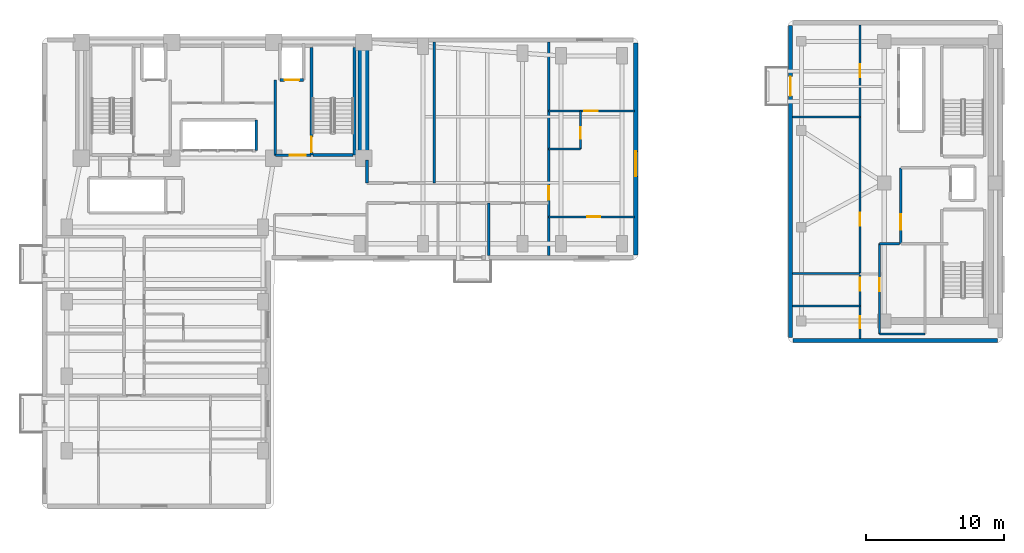
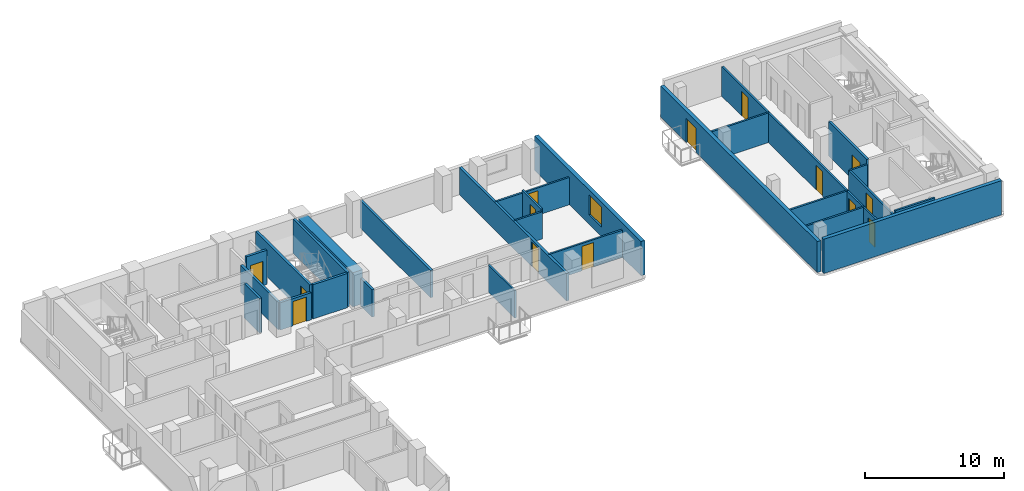
# One storey, part 5 of 9: 27 walls, 14 doors, 1 window, 15 openings.
"""IFC4 building model written with IfcOpenShell, lengths in metres."""

from ifc_helpers import new_model, si_unit, direction, frame, frame_2d, origin, place, context, subcontext, project, spatial, rectangle, extrude, material, layer, layer_set, type_object, element, fill, save


model = new_model("IFC4")

# Units and contexts
model_context = context("Model", 3, precision=1e-05, world=origin(), true_north=direction((0.0, 1.0)))
body_context = subcontext(model_context, "Body", "Model", "MODEL_VIEW")
ifc_project = project(units=[si_unit("LENGTHUNIT", "METRE"), si_unit("AREAUNIT", "SQUARE_METRE"), si_unit("VOLUMEUNIT", "CUBIC_METRE"), si_unit("PLANEANGLEUNIT", "RADIAN"), si_unit("MASSUNIT", "GRAM", prefix="KILO")], contexts=[model_context])

# Site, building, storey
site_placement = place(None, origin())
site = spatial("IfcSite", under=ifc_project, at=site_placement, CompositionType="ELEMENT")
building_placement = place(site_placement, origin())
building = spatial("IfcBuilding", under=site, at=building_placement, Name="Kuzgunbayir Cultural Tower", CompositionType="ELEMENT")
storey_placement = place(building_placement, frame((0.0, 0.0, 89.800048828125)))
storey = spatial("IfcBuildingStorey", under=building, at=storey_placement, Name="L25", CompositionType="ELEMENT", Elevation=89.800048828125)

# Wall
ifc_material_1 = material(Name="Concrete C60/75", Category="concrete")
ifc_layer_1 = layer(ifc_material_1, 0.800048828125)
ifc_layer_set_1 = layer_set([ifc_layer_1], Name="Concrete C60/75")
wall_type_1 = type_object("IfcWallType", Name="WAL-CORE-800", PredefinedType="SHEAR", material=ifc_layer_set_1)
wall_1_placement = place(storey_placement, frame((26.89990234375, 33.800048828125, 0.0), z_axis=(0.0, 0.0, 1.0), x_axis=(0.0, 1.0, 0.0)))
element("IfcWall", 1, at=wall_1_placement, inside=storey, type_object=wall_type_1, Name="L25 T1 Core East Shear Wall", PredefinedType="SHEAR", context=body_context, shape_type="SweptSolid", body=[
    extrude(rectangle(XDim=7.949951171875, YDim=0.800048828125, at=frame_2d((3.97509765625, 0.0))), origin(), (0.0, 0.0, 1.0), 3.02001953125),
])

# Wall, opening, door
ifc_material_2 = material(Name="Anatolian Cream Limestone", Category="masonry")
ifc_layer_2 = layer(ifc_material_2, 0.300048828125)
ifc_layer_set_2 = layer_set([ifc_layer_2], Name="Anatolian Cream Limestone")
wall_type_2 = type_object("IfcWallType", Name="WAL-EXT-STONE-300", PredefinedType="STANDARD", material=ifc_layer_set_2)
wall_2_placement = place(storey_placement, frame((57.800048828125, 43.39990234375, 0.0), z_axis=(0.0, 0.0, 1.0), x_axis=(0.0, -1.0, 0.0)))
wall_2 = element("IfcWall", 2, at=wall_2_placement, inside=storey, type_object=wall_type_2, Name="L25 Companion West Limestone Wall", PredefinedType="STANDARD", context=body_context, shape_type="SweptSolid", body=[
    extrude(rectangle(XDim=22.599853515625, YDim=0.300048828125, at=frame_2d((11.2998046875, 0.0))), origin(), (0.0, 0.0, 1.0), 2.72998046875),
])
opening_1_placement = place(wall_2_placement, frame((3.699951171875, 0.0, 0.0)))
opening_1 = element("IfcOpeningElement", 3, at=opening_1_placement, cuts=wall_2, Name="Opening BD-15", PredefinedType="OPENING", context=body_context, shape_type="SweptSolid", body=[
    extrude(rectangle(XDim=1.39990234375, YDim=2.10009765625, at=frame_2d((0.699951171875, 1.050048828125))), frame((0.0, 0.16015625, 0.0), z_axis=(0.0, -1.0, 0.0), x_axis=(1.0, 0.0, 0.0)), (0.0, 0.0, 1.0), 0.320068359375),
])
ifc_material_3 = material(Name="Thermally Broken Glazed Aluminium", Category="aluminium")
door_type_1 = type_object("IfcDoorType", Name="DR-BALCONY-150", OperationType="SLIDING_TO_RIGHT", PredefinedType="DOOR", material=ifc_material_3)
door_1_placement = place(opening_1_placement, origin())
door_1 = element("IfcDoor", 4, at=door_1_placement, inside=storey, type_object=door_type_1, Name="L25 Companion Balcony Door BAL-L25-T2W3", OperationType="SLIDING_TO_RIGHT", OverallHeight=2.10009765625, OverallWidth=1.39990234375, PredefinedType="DOOR", context=body_context, shape_type="SweptSolid", body=[
    extrude(rectangle(XDim=1.39990234375, YDim=2.10009765625, at=frame_2d((0.699951171875, 1.050048828125))), frame((0.0, 0.02490234375, 0.0), z_axis=(0.0, -1.0, 0.0), x_axis=(1.0, 0.0, 0.0)), (0.0, 0.0, 1.0), 0.050048828125),
])
fill(opening_1, door_1)

# Wall
wall_3_placement = place(storey_placement, frame((58.0, 20.60009765625, 0.0), z_axis=(0.0, 0.0, 1.0), x_axis=(1.0, 0.0, 0.0)))
element("IfcWall", 5, at=wall_3_placement, inside=storey, type_object=wall_type_2, Name="L25 Companion South Limestone Wall", PredefinedType="STANDARD", context=body_context, shape_type="SweptSolid", body=[
    extrude(rectangle(XDim=14.800048828125, YDim=0.300048828125, at=frame_2d((7.39990234375, 0.0))), origin(), (0.0, 0.0, 1.0), 3.02001953125),
])

# Wall, opening, window
ifc_material_4 = material(Name="Travertine Buff Ashlar", Category="masonry")
ifc_layer_3 = layer(ifc_material_4, 0.320068359375)
ifc_layer_set_3 = layer_set([ifc_layer_3], Name="Travertine Buff Ashlar")
wall_type_3 = type_object("IfcWallType", Name="WAL-EXT-STONE-320", PredefinedType="STANDARD", material=ifc_layer_set_3)
wall_4_placement = place(storey_placement, frame((46.60009765625, 26.800048828125, 0.0), z_axis=(0.0, 0.0, 1.0), x_axis=(0.0, 1.0, 0.0)))
wall_4 = element("IfcWall", 6, at=wall_4_placement, inside=storey, type_object=wall_type_3, Name="L25 Wing B East Limestone Wall", PredefinedType="STANDARD", context=body_context, shape_type="SweptSolid", body=[
    extrude(rectangle(XDim=15.349853515625, YDim=0.320068359375, at=frame_2d((7.6748046875, 0.0))), origin(), (0.0, 0.0, 1.0), 3.02001953125),
])
opening_2_placement = place(wall_4_placement, frame((5.679931640625, 0.0, 0.85009765625)))
opening_2 = element("IfcOpeningElement", 7, at=opening_2_placement, cuts=wall_4, Name="Opening WH-18", PredefinedType="OPENING", context=body_context, shape_type="SweptSolid", body=[
    extrude(rectangle(XDim=1.800048828125, YDim=1.75, at=frame_2d((0.89990234375, 0.875))), frame((0.0, 0.169921875, 0.0), z_axis=(0.0, -1.0, 0.0), x_axis=(1.0, 0.0, 0.0)), (0.0, 0.0, 1.0), 0.340087890625),
])
ifc_material_5 = material(Name="Solar-Control Triple Glazing", Category="glass")
window_type = type_object("IfcWindowType", Name="WIN-HOTEL-18", PartitioningType="SINGLE_PANEL", PredefinedType="WINDOW", material=ifc_material_5)
window_placement = place(opening_2_placement, origin())
window = element("IfcWindow", 8, at=window_placement, inside=storey, type_object=window_type, Name="L25 WBE Facade Window 3", OverallHeight=1.75, OverallWidth=1.800048828125, PartitioningType="SINGLE_PANEL", PredefinedType="WINDOW", context=body_context, shape_type="SweptSolid", body=[
    extrude(rectangle(XDim=1.800048828125, YDim=1.75, at=frame_2d((0.89990234375, 0.875))), frame((0.0, 0.030029296875, 0.0), z_axis=(0.0, -1.0, 0.0), x_axis=(1.0, 0.0, 0.0)), (0.0, 0.0, 1.0), 0.06005859375),
])
fill(opening_2, window)

# Wall, opening, door
ifc_material_6 = material(Name="Acoustic Double-Stud Drywall", Category="gypsum")
ifc_layer_4 = layer(ifc_material_6, 0.14990234375)
ifc_layer_set_4 = layer_set([ifc_layer_4], Name="Acoustic Double-Stud Drywall")
wall_type_4 = type_object("IfcWallType", Name="WAL-PART-ACOUSTIC-150", PredefinedType="PARTITIONING", material=ifc_layer_set_4)
wall_5_placement = place(storey_placement, frame((40.300048828125, 37.199951171875, 0.0), z_axis=(0.0, 0.0, 1.0), x_axis=(1.0, 0.0, 0.0)))
wall_5 = element("IfcWall", 9, at=wall_5_placement, inside=storey, type_object=wall_type_4, Name="L25 Corner Suite Bedroom Wall", PredefinedType="PARTITIONING", context=body_context, shape_type="SweptSolid", body=[
    extrude(rectangle(XDim=6.199951171875, YDim=0.14990234375, at=frame_2d((3.10009765625, 0.0))), origin(), (0.0, 0.0, 1.0), 2.39990234375),
])
opening_3_placement = place(wall_5_placement, frame((2.590087890625, 0.0, 0.0)))
opening_3 = element("IfcOpeningElement", 10, at=opening_3_placement, cuts=wall_5, Name="Opening DI-90", PredefinedType="OPENING", context=body_context, shape_type="SweptSolid", body=[
    extrude(rectangle(XDim=0.949951171875, YDim=2.14990234375, at=frame_2d((0.47509765625, 1.074951171875))), frame((0.0, 0.0849609375, 0.0), z_axis=(0.0, -1.0, 0.0), x_axis=(1.0, 0.0, 0.0)), (0.0, 0.0, 1.0), 0.169921875),
])
ifc_material_7 = material(Name="Veneered Oak Single Leaf", Category="wood")
door_type_2 = type_object("IfcDoorType", Name="DR-INT-90", OperationType="NOTDEFINED", PredefinedType="DOOR", material=ifc_material_7)
door_2_placement = place(opening_3_placement, origin())
door_2 = element("IfcDoor", 11, at=door_2_placement, inside=storey, type_object=door_type_2, Name="L25 Corner Bedroom Door", OperationType="SINGLE_SWING_RIGHT", OverallHeight=2.14990234375, OverallWidth=0.949951171875, PredefinedType="DOOR", context=body_context, shape_type="SweptSolid", body=[
    extrude(rectangle(XDim=0.949951171875, YDim=2.14990234375, at=frame_2d((0.47509765625, 1.074951171875))), frame((0.0, 0.02490234375, 0.0), z_axis=(0.0, -1.0, 0.0), x_axis=(1.0, 0.0, 0.0)), (0.0, 0.0, 1.0), 0.050048828125),
])
fill(opening_3, door_2)

# Wall
wall_6_placement = place(storey_placement, frame((35.9599609375, 26.75, 0.0), z_axis=(0.0, 0.0, 1.0), x_axis=(0.0, 1.0, 0.0)))
element("IfcWall", 12, at=wall_6_placement, inside=storey, type_object=wall_type_4, Name="L25 Wing B South Divider 2", PredefinedType="PARTITIONING", context=body_context, shape_type="SweptSolid", body=[
    extrude(rectangle(XDim=3.800048828125, YDim=0.14990234375, at=frame_2d((1.89990234375, 0.0))), origin(), (0.0, 0.0, 1.0), 2.39990234375),
])

# Wall, opening, door
wall_7_placement = place(storey_placement, frame((64.25, 21.050048828125, 0.0), z_axis=(0.0, 0.0, 1.0), x_axis=(0.0, 1.0, 0.0)))
wall_7 = element("IfcWall", 13, at=wall_7_placement, inside=storey, type_object=wall_type_4, Name="L25 Companion Archive West Wall", PredefinedType="PARTITIONING", context=body_context, shape_type="SweptSolid", body=[
    extrude(rectangle(XDim=6.550048828125, YDim=0.14990234375, at=frame_2d((3.27490234375, 0.0))), origin(), (0.0, 0.0, 1.0), 2.60986328125),
])
opening_4_placement = place(wall_7_placement, frame((3.10009765625, 0.0, 0.0)))
opening_4 = element("IfcOpeningElement", 14, at=opening_4_placement, cuts=wall_7, Name="Opening DI-90", PredefinedType="OPENING", context=body_context, shape_type="SweptSolid", body=[
    extrude(rectangle(XDim=0.949951171875, YDim=2.14990234375, at=frame_2d((0.47509765625, 1.074951171875))), frame((0.0, 0.0849609375, 0.0), z_axis=(0.0, -1.0, 0.0), x_axis=(1.0, 0.0, 0.0)), (0.0, 0.0, 1.0), 0.169921875),
])
door_3_placement = place(opening_4_placement, origin())
door_3 = element("IfcDoor", 15, at=door_3_placement, inside=storey, type_object=door_type_2, Name="L25 Companion Archive Door", OperationType="SINGLE_SWING_RIGHT", OverallHeight=2.14990234375, OverallWidth=0.949951171875, PredefinedType="DOOR", context=body_context, shape_type="SweptSolid", body=[
    extrude(rectangle(XDim=0.949951171875, YDim=2.14990234375, at=frame_2d((0.47509765625, 1.074951171875))), frame((0.0, 0.02490234375, 0.0), z_axis=(0.0, -1.0, 0.0), x_axis=(1.0, 0.0, 0.0)), (0.0, 0.0, 1.0), 0.050048828125),
])
fill(opening_4, door_3)

# Walls
wall_8_placement = place(storey_placement, frame((64.25, 21.050048828125, 0.0), z_axis=(0.0, 0.0, 1.0), x_axis=(1.0, 0.0, 0.0)))
element("IfcWall", 16, at=wall_8_placement, inside=storey, type_object=wall_type_4, Name="L25 Companion Archive South Wall", PredefinedType="PARTITIONING", context=body_context, shape_type="SweptSolid", body=[
    extrude(rectangle(XDim=3.300048828125, YDim=0.14990234375, at=frame_2d((1.64990234375, 0.0))), origin(), (0.0, 0.0, 1.0), 3.02001953125),
])
wall_9_placement = place(storey_placement, frame((64.25, 27.60009765625, 0.0), z_axis=(0.0, 0.0, 1.0), x_axis=(1.0, 0.0, 0.0)))
element("IfcWall", 17, at=wall_9_placement, inside=storey, type_object=wall_type_4, Name="L25 Companion Archive North Wall", PredefinedType="PARTITIONING", context=body_context, shape_type="SweptSolid", body=[
    extrude(rectangle(XDim=1.469970703125, YDim=0.14990234375, at=frame_2d((0.73486328125, 0.0))), origin(), (0.0, 0.0, 1.0), 2.60986328125),
])

# Wall, openings, doors
wall_10_placement = place(storey_placement, frame((62.85009765625, 20.75, 0.0), z_axis=(0.0, 0.0, 1.0), x_axis=(0.0, 1.0, 0.0)))
wall_10 = element("IfcWall", 18, at=wall_10_placement, inside=storey, type_object=wall_type_4, Name="L25 Companion Corridor West Wall", PredefinedType="PARTITIONING", context=body_context, shape_type="SweptSolid", body=[
    extrude(rectangle(XDim=22.699951171875, YDim=0.14990234375, at=frame_2d((11.35009765625, 0.0))), origin(), (0.0, 0.0, 1.0), 2.60986328125),
])
opening_5_placement = place(wall_10_placement, frame((0.72998046875, 0.0, 0.0)))
opening_5 = element("IfcOpeningElement", 19, at=opening_5_placement, cuts=wall_10, Name="Opening DW-85", PredefinedType="OPENING", context=body_context, shape_type="SweptSolid", body=[
    extrude(rectangle(XDim=0.85009765625, YDim=2.10009765625, at=frame_2d((0.425048828125, 1.050048828125))), frame((0.0, 0.0849609375, 0.0), z_axis=(0.0, -1.0, 0.0), x_axis=(1.0, 0.0, 0.0)), (0.0, 0.0, 1.0), 0.169921875),
])
opening_6_placement = place(wall_10_placement, frame((3.429931640625, 0.0, 0.0)))
opening_6 = element("IfcOpeningElement", 20, at=opening_6_placement, cuts=wall_10, Name="Opening DW-95", PredefinedType="OPENING", context=body_context, shape_type="SweptSolid", body=[
    extrude(rectangle(XDim=0.949951171875, YDim=2.10009765625, at=frame_2d((0.47509765625, 1.050048828125))), frame((0.0, 0.0849609375, 0.0), z_axis=(0.0, -1.0, 0.0), x_axis=(1.0, 0.0, 0.0)), (0.0, 0.0, 1.0), 0.169921875),
])
opening_7_placement = place(wall_10_placement, frame((8.14990234375, 0.0, 0.0)))
opening_7 = element("IfcOpeningElement", 21, at=opening_7_placement, cuts=wall_10, Name="Opening DI-90", PredefinedType="OPENING", context=body_context, shape_type="SweptSolid", body=[
    extrude(rectangle(XDim=0.949951171875, YDim=2.14990234375, at=frame_2d((0.47509765625, 1.074951171875))), frame((0.0, 0.0849609375, 0.0), z_axis=(0.0, -1.0, 0.0), x_axis=(1.0, 0.0, 0.0)), (0.0, 0.0, 1.0), 0.169921875),
])
opening_8_placement = place(wall_10_placement, frame((18.889892578125, 0.0, 0.0)))
opening_8 = element("IfcOpeningElement", 22, at=opening_8_placement, cuts=wall_10, Name="Opening DI-90", PredefinedType="OPENING", context=body_context, shape_type="SweptSolid", body=[
    extrude(rectangle(XDim=0.949951171875, YDim=2.14990234375, at=frame_2d((0.47509765625, 1.074951171875))), frame((0.0, 0.0849609375, 0.0), z_axis=(0.0, -1.0, 0.0), x_axis=(1.0, 0.0, 0.0)), (0.0, 0.0, 1.0), 0.169921875),
])
door_4_placement = place(opening_7_placement, origin())
door_4 = element("IfcDoor", 23, at=door_4_placement, inside=storey, type_object=door_type_2, Name="L25 Companion Seminar Boardroom 1 Door", OperationType="SINGLE_SWING_LEFT", OverallHeight=2.14990234375, OverallWidth=0.949951171875, PredefinedType="DOOR", context=body_context, shape_type="SweptSolid", body=[
    extrude(rectangle(XDim=0.949951171875, YDim=2.14990234375, at=frame_2d((0.47509765625, 1.074951171875))), frame((0.0, 0.02490234375, 0.0), z_axis=(0.0, -1.0, 0.0), x_axis=(1.0, 0.0, 0.0)), (0.0, 0.0, 1.0), 0.050048828125),
])
fill(opening_7, door_4)
door_5_placement = place(opening_8_placement, origin())
door_5 = element("IfcDoor", 24, at=door_5_placement, inside=storey, type_object=door_type_2, Name="L25 Companion Culinary Tasting Pantry 2 Door", OperationType="SINGLE_SWING_RIGHT", OverallHeight=2.14990234375, OverallWidth=0.949951171875, PredefinedType="DOOR", context=body_context, shape_type="SweptSolid", body=[
    extrude(rectangle(XDim=0.949951171875, YDim=2.14990234375, at=frame_2d((0.47509765625, 1.074951171875))), frame((0.0, 0.02490234375, 0.0), z_axis=(0.0, -1.0, 0.0), x_axis=(1.0, 0.0, 0.0)), (0.0, 0.0, 1.0), 0.050048828125),
])
fill(opening_8, door_5)
ifc_material_8 = material(Name="Laminate Moisture-Resistant Leaf", Category="wood")
door_type_3 = type_object("IfcDoorType", Name="DR-WET-85", OperationType="NOTDEFINED", PredefinedType="DOOR", material=ifc_material_8)
door_6_placement = place(opening_5_placement, origin())
door_6 = element("IfcDoor", 25, at=door_6_placement, inside=storey, type_object=door_type_3, Name="L25 Companion WC Door", OperationType="SINGLE_SWING_LEFT", OverallHeight=2.10009765625, OverallWidth=0.85009765625, PredefinedType="DOOR", context=body_context, shape_type="SweptSolid", body=[
    extrude(rectangle(XDim=0.85009765625, YDim=2.10009765625, at=frame_2d((0.425048828125, 1.050048828125))), frame((0.0, 0.02490234375, 0.0), z_axis=(0.0, -1.0, 0.0), x_axis=(1.0, 0.0, 0.0)), (0.0, 0.0, 1.0), 0.050048828125),
])
fill(opening_5, door_6)
door_type_4 = type_object("IfcDoorType", Name="DR-WET-95", OperationType="NOTDEFINED", PredefinedType="DOOR", material=ifc_material_8)
door_7_placement = place(opening_6_placement, origin())
door_7 = element("IfcDoor", 26, at=door_7_placement, inside=storey, type_object=door_type_4, Name="L25 Companion Accessible WC Door", OperationType="SINGLE_SWING_RIGHT", OverallHeight=2.10009765625, OverallWidth=0.949951171875, PredefinedType="DOOR", context=body_context, shape_type="SweptSolid", body=[
    extrude(rectangle(XDim=0.949951171875, YDim=2.10009765625, at=frame_2d((0.47509765625, 1.050048828125))), frame((0.0, 0.02490234375, 0.0), z_axis=(0.0, -1.0, 0.0), x_axis=(1.0, 0.0, 0.0)), (0.0, 0.0, 1.0), 0.050048828125),
])
fill(opening_6, door_7)

# Walls
wall_11_placement = place(storey_placement, frame((57.949951171875, 36.7900390625, 0.0), z_axis=(0.0, 0.0, 1.0), x_axis=(1.0, 0.0, 0.0)))
element("IfcWall", 27, at=wall_11_placement, inside=storey, type_object=wall_type_4, Name="L25 Companion Studio Partition 1", PredefinedType="PARTITIONING", context=body_context, shape_type="SweptSolid", body=[
    extrude(rectangle(XDim=4.900146484375, YDim=0.14990234375, at=frame_2d((2.4501953125, 0.0))), origin(), (0.0, 0.0, 1.0), 2.60986328125),
])
ifc_material_9 = material(Name="Aerated Concrete Blockwork", Category="masonry")
ifc_layer_5 = layer(ifc_material_9, 0.199951171875)
ifc_layer_set_5 = layer_set([ifc_layer_5], Name="Aerated Concrete Blockwork")
wall_type_5 = type_object("IfcWallType", Name="WAL-PART-FIRE-200", PredefinedType="PARTITIONING", material=ifc_layer_set_5)
wall_12_placement = place(storey_placement, frame((20.5, 34.0, 0.0), z_axis=(0.0, 0.0, 1.0), x_axis=(0.0, 1.0, 0.0)))
element("IfcWall", 28, at=wall_12_placement, inside=storey, type_object=wall_type_5, Name="L25 FFL-2 Lobby West Fire Wall", PredefinedType="PARTITIONING", context=body_context, shape_type="SweptSolid", body=[
    extrude(rectangle(XDim=5.449951171875, YDim=0.199951171875, at=frame_2d((2.72509765625, 0.0))), origin(), (0.0, 0.0, 1.0), 2.39990234375),
])

# Wall, opening, door
wall_13_placement = place(storey_placement, frame((20.5, 34.0, 0.0), z_axis=(0.0, 0.0, 1.0), x_axis=(1.0, 0.0, 0.0)))
wall_13 = element("IfcWall", 29, at=wall_13_placement, inside=storey, type_object=wall_type_5, Name="L25 FFL-2 Lobby South Fire Wall", PredefinedType="PARTITIONING", context=body_context, shape_type="SweptSolid", body=[
    extrude(rectangle(XDim=2.60009765625, YDim=0.199951171875, at=frame_2d((1.300048828125, 0.0))), origin(), (0.0, 0.0, 1.0), 2.39990234375),
])
opening_9_placement = place(wall_13_placement, frame((1.050048828125, 0.0, 0.0)))
opening_9 = element("IfcOpeningElement", 30, at=opening_9_placement, cuts=wall_13, Name="Opening DR-FFL-90", PredefinedType="OPENING", context=body_context, shape_type="SweptSolid", body=[
    extrude(rectangle(XDim=1.14990234375, YDim=2.14990234375, at=frame_2d((0.574951171875, 1.074951171875))), frame((0.0, 0.10986328125, 0.0), z_axis=(0.0, -1.0, 0.0), x_axis=(1.0, 0.0, 0.0)), (0.0, 0.0, 1.0), 0.219970703125),
])
ifc_material_10 = material(Name="Steel S355J2", Category="steel")
door_type_5 = type_object("IfcDoorType", Name="DR-FFL-90", OperationType="NOTDEFINED", PredefinedType="DOOR", material=ifc_material_10)
door_8_placement = place(opening_9_placement, origin())
door_8 = element("IfcDoor", 31, at=door_8_placement, inside=storey, type_object=door_type_5, Name="L25 Firefighting Lobby 2 Door", OperationType="SINGLE_SWING_LEFT", OverallHeight=2.14990234375, OverallWidth=1.14990234375, PredefinedType="DOOR", context=body_context, shape_type="SweptSolid", body=[
    extrude(rectangle(XDim=1.14990234375, YDim=2.14990234375, at=frame_2d((0.574951171875, 1.074951171875))), frame((0.0, 0.02490234375, 0.0), z_axis=(0.0, -1.0, 0.0), x_axis=(1.0, 0.0, 0.0)), (0.0, 0.0, 1.0), 0.050048828125),
])
fill(opening_9, door_8)

wall_14_placement = place(storey_placement, frame((65.800048828125, 27.60009765625, 0.0), z_axis=(0.0, 0.0, 1.0), x_axis=(0.0, 1.0, 0.0)))
wall_14 = element("IfcWall", 32, at=wall_14_placement, inside=storey, type_object=wall_type_5, Name="L25 FFL-3 Lobby West Fire Wall", PredefinedType="PARTITIONING", context=body_context, shape_type="SweptSolid", body=[
    extrude(rectangle(XDim=5.5, YDim=0.199951171875, at=frame_2d((2.75, 0.0))), origin(), (0.0, 0.0, 1.0), 3.02001953125),
])
opening_10_placement = place(wall_14_placement, frame((1.0, 0.0, 0.0)))
opening_10 = element("IfcOpeningElement", 33, at=opening_10_placement, cuts=wall_14, Name="Opening DR-FFL-90", PredefinedType="OPENING", context=body_context, shape_type="SweptSolid", body=[
    extrude(rectangle(XDim=1.14990234375, YDim=2.14990234375, at=frame_2d((0.574951171875, 1.074951171875))), frame((0.0, 0.10986328125, 0.0), z_axis=(0.0, -1.0, 0.0), x_axis=(1.0, 0.0, 0.0)), (0.0, 0.0, 1.0), 0.219970703125),
])
door_9_placement = place(opening_10_placement, origin())
door_9 = element("IfcDoor", 34, at=door_9_placement, inside=storey, type_object=door_type_5, Name="L25 Firefighting Lobby 3 Door", OperationType="SINGLE_SWING_RIGHT", OverallHeight=2.14990234375, OverallWidth=1.14990234375, PredefinedType="DOOR", context=body_context, shape_type="SweptSolid", body=[
    extrude(rectangle(XDim=1.14990234375, YDim=2.14990234375, at=frame_2d((0.574951171875, 1.074951171875))), frame((0.0, 0.02490234375, 0.0), z_axis=(0.0, -1.0, 0.0), x_axis=(1.0, 0.0, 0.0)), (0.0, 0.0, 1.0), 0.050048828125),
])
fill(opening_10, door_9)

# Wall
wall_15_placement = place(storey_placement, frame((27.14990234375, 32.0, 0.0), z_axis=(0.0, 0.0, 1.0), x_axis=(0.0, 1.0, 0.0)))
element("IfcWall", 35, at=wall_15_placement, inside=storey, type_object=wall_type_5, Name="L25 Wing B North Core Closure Wall", PredefinedType="PARTITIONING", context=body_context, shape_type="SweptSolid", body=[
    extrude(rectangle(XDim=1.679931640625, YDim=0.199951171875, at=frame_2d((0.83984375, 0.0))), origin(), (0.0, 0.0, 1.0), 2.39990234375),
])

# Wall, opening, door
wall_16_placement = place(storey_placement, frame((40.300048828125, 26.75, 0.0), z_axis=(0.0, 0.0, 1.0), x_axis=(0.0, 1.0, 0.0)))
wall_16 = element("IfcWall", 36, at=wall_16_placement, inside=storey, type_object=wall_type_5, Name="L25 Wing B East Suite Wall", PredefinedType="PARTITIONING", context=body_context, shape_type="SweptSolid", body=[
    extrude(rectangle(XDim=15.449951171875, YDim=0.199951171875, at=frame_2d((7.72509765625, 0.0))), origin(), (0.0, 0.0, 1.0), 2.39990234375),
])
opening_11_placement = place(wall_16_placement, frame((4.050048828125, 0.0, 0.0)))
opening_11 = element("IfcOpeningElement", 37, at=opening_11_placement, cuts=wall_16, Name="Opening DR-APT-60", PredefinedType="OPENING", context=body_context, shape_type="SweptSolid", body=[
    extrude(rectangle(XDim=0.949951171875, YDim=2.14990234375, at=frame_2d((0.47509765625, 1.074951171875))), frame((0.0, 0.10986328125, 0.0), z_axis=(0.0, -1.0, 0.0), x_axis=(1.0, 0.0, 0.0)), (0.0, 0.0, 1.0), 0.219970703125),
])
ifc_material_11 = material(Name="Acoustic Fire Timber Leaf", Category="wood")
door_type_6 = type_object("IfcDoorType", Name="DR-APT-60", OperationType="NOTDEFINED", PredefinedType="DOOR", material=ifc_material_11)
door_10_placement = place(opening_11_placement, origin())
door_10 = element("IfcDoor", 38, at=door_10_placement, inside=storey, type_object=door_type_6, Name="L25 Corner Suite Entrance", OperationType="SINGLE_SWING_LEFT", OverallHeight=2.14990234375, OverallWidth=0.949951171875, PredefinedType="DOOR", context=body_context, shape_type="SweptSolid", body=[
    extrude(rectangle(XDim=0.949951171875, YDim=2.14990234375, at=frame_2d((0.47509765625, 1.074951171875))), frame((0.0, 0.02490234375, 0.0), z_axis=(0.0, -1.0, 0.0), x_axis=(1.0, 0.0, 0.0)), (0.0, 0.0, 1.0), 0.050048828125),
])
fill(opening_11, door_10)

# Wall
wall_17_placement = place(storey_placement, frame((32.02001953125, 32.0, 0.0), z_axis=(0.0, 0.0, 1.0), x_axis=(0.0, 1.0, 0.0)))
element("IfcWall", 39, at=wall_17_placement, inside=storey, type_object=wall_type_5, Name="L25 Wing B North Party Wall 1", PredefinedType="PARTITIONING", context=body_context, shape_type="SweptSolid", body=[
    extrude(rectangle(XDim=10.199951171875, YDim=0.199951171875, at=frame_2d((5.10009765625, 0.0))), origin(), (0.0, 0.0, 1.0), 2.39990234375),
])

# Wall, opening, door
ifc_material_12 = material(Name="Moisture-Resistant Tile Partition", Category="gypsum")
ifc_layer_6 = layer(ifc_material_12, 0.14990234375)
ifc_layer_set_6 = layer_set([ifc_layer_6], Name="Moisture-Resistant Tile Partition")
wall_type_6 = type_object("IfcWallType", Name="WAL-PART-WET-150", PredefinedType="PARTITIONING", material=ifc_layer_set_6)
wall_18_placement = place(storey_placement, frame((40.300048828125, 29.550048828125, 0.0), z_axis=(0.0, 0.0, 1.0), x_axis=(1.0, 0.0, 0.0)))
wall_18 = element("IfcWall", 40, at=wall_18_placement, inside=storey, type_object=wall_type_6, Name="L25 Corner Suite Kitchen Wall", PredefinedType="PARTITIONING", context=body_context, shape_type="SweptSolid", body=[
    extrude(rectangle(XDim=6.199951171875, YDim=0.14990234375, at=frame_2d((3.10009765625, 0.0))), origin(), (0.0, 0.0, 1.0), 2.39990234375),
])
opening_12_placement = place(wall_18_placement, frame((2.7900390625, 0.0, 0.0)))
opening_12 = element("IfcOpeningElement", 41, at=opening_12_placement, cuts=wall_18, Name="Opening DI-90", PredefinedType="OPENING", context=body_context, shape_type="SweptSolid", body=[
    extrude(rectangle(XDim=0.949951171875, YDim=2.14990234375, at=frame_2d((0.47509765625, 1.074951171875))), frame((0.0, 0.0849609375, 0.0), z_axis=(0.0, -1.0, 0.0), x_axis=(1.0, 0.0, 0.0)), (0.0, 0.0, 1.0), 0.169921875),
])
door_11_placement = place(opening_12_placement, origin())
door_11 = element("IfcDoor", 42, at=door_11_placement, inside=storey, type_object=door_type_2, Name="L25 Corner Suite Kitchen Door", OperationType="SINGLE_SWING_RIGHT", OverallHeight=2.14990234375, OverallWidth=0.949951171875, PredefinedType="DOOR", context=body_context, shape_type="SweptSolid", body=[
    extrude(rectangle(XDim=0.949951171875, YDim=2.14990234375, at=frame_2d((0.47509765625, 1.074951171875))), frame((0.0, 0.02490234375, 0.0), z_axis=(0.0, -1.0, 0.0), x_axis=(1.0, 0.0, 0.0)), (0.0, 0.0, 1.0), 0.050048828125),
])
fill(opening_12, door_11)

# Wall
wall_19_placement = place(storey_placement, frame((40.300048828125, 34.449951171875, 0.0), z_axis=(0.0, 0.0, 1.0), x_axis=(1.0, 0.0, 0.0)))
element("IfcWall", 43, at=wall_19_placement, inside=storey, type_object=wall_type_6, Name="L25 Corner Suite Bath South Wall", PredefinedType="PARTITIONING", context=body_context, shape_type="SweptSolid", body=[
    extrude(rectangle(XDim=2.300048828125, YDim=0.14990234375, at=frame_2d((1.14990234375, 0.0))), origin(), (0.0, 0.0, 1.0), 2.39990234375),
])

# Wall, opening, door
wall_20_placement = place(storey_placement, frame((42.60009765625, 34.449951171875, 0.0), z_axis=(0.0, 0.0, 1.0), x_axis=(0.0, 1.0, 0.0)))
wall_20 = element("IfcWall", 44, at=wall_20_placement, inside=storey, type_object=wall_type_6, Name="L25 Corner Suite Bath East Wall", PredefinedType="PARTITIONING", context=body_context, shape_type="SweptSolid", body=[
    extrude(rectangle(XDim=2.75, YDim=0.14990234375, at=frame_2d((1.375, 0.0))), origin(), (0.0, 0.0, 1.0), 2.60986328125),
])
opening_13_placement = place(wall_20_placement, frame((0.75, 0.0, 0.0)))
opening_13 = element("IfcOpeningElement", 45, at=opening_13_placement, cuts=wall_20, Name="Opening DW-85", PredefinedType="OPENING", context=body_context, shape_type="SweptSolid", body=[
    extrude(rectangle(XDim=0.85009765625, YDim=2.10009765625, at=frame_2d((0.425048828125, 1.050048828125))), frame((0.0, 0.0849609375, 0.0), z_axis=(0.0, -1.0, 0.0), x_axis=(1.0, 0.0, 0.0)), (0.0, 0.0, 1.0), 0.169921875),
])
door_12_placement = place(opening_13_placement, origin())
door_12 = element("IfcDoor", 46, at=door_12_placement, inside=storey, type_object=door_type_3, Name="L25 Corner Suite Bathroom Door", OperationType="SINGLE_SWING_LEFT", OverallHeight=2.10009765625, OverallWidth=0.85009765625, PredefinedType="DOOR", context=body_context, shape_type="SweptSolid", body=[
    extrude(rectangle(XDim=0.85009765625, YDim=2.10009765625, at=frame_2d((0.425048828125, 1.050048828125))), frame((0.0, 0.02490234375, 0.0), z_axis=(0.0, -1.0, 0.0), x_axis=(1.0, 0.0, 0.0)), (0.0, 0.0, 1.0), 0.050048828125),
])
fill(opening_13, door_12)

# Walls
for number, where, z_axis, x_axis, name in (
    (47, (57.949951171875, 23.10009765625, 0.0), (0.0, 0.0, 1.0), (1.0, 0.0, 0.0), "L25 Companion WC North Wall"),
    (48, (57.949951171875, 25.449951171875, 0.0), (0.0, 0.0, 1.0), (1.0, 0.0, 0.0), "L25 Companion Accessible WC Wall"),
):
    element("IfcWall", number, at=place(storey_placement, frame(where, z_axis=z_axis, x_axis=x_axis)), inside=storey, type_object=wall_type_6, Name=name, PredefinedType="PARTITIONING", context=body_context, shape_type="SweptSolid", body=[
        extrude(rectangle(XDim=4.900146484375, YDim=0.14990234375, at=frame_2d((2.4501953125, 0.0))), origin(), (0.0, 0.0, 1.0), 2.60986328125),
    ])

# Wall, opening, door
ifc_material_13 = material(Name="Concrete C40/50", Category="concrete")
ifc_layer_7 = layer(ifc_material_13, 0.199951171875)
ifc_layer_set_7 = layer_set([ifc_layer_7], Name="Concrete C40/50")
wall_type_7 = type_object("IfcWallType", Name="WAL-SHAFT-200", PredefinedType="MOVABLE", material=ifc_layer_set_7)
wall_21_placement = place(storey_placement, frame((20.85009765625, 39.449951171875, 0.0), z_axis=(0.0, 0.0, 1.0), x_axis=(1.0, 0.0, 0.0)))
wall_21 = element("IfcWall", 49, at=wall_21_placement, inside=storey, type_object=wall_type_7, Name="L25 FFL-2 Lift Front Wall", PredefinedType="MOVABLE", context=body_context, shape_type="SweptSolid", body=[
    extrude(rectangle(XDim=1.699951171875, YDim=0.199951171875, at=frame_2d((0.85009765625, 0.0))), origin(), (0.0, 0.0, 1.0), 3.02001953125),
])
opening_14_placement = place(wall_21_placement, frame((0.320068359375, 0.0, 0.0)))
opening_14 = element("IfcOpeningElement", 50, at=opening_14_placement, cuts=wall_21, Name="Opening LD", PredefinedType="OPENING", context=body_context, shape_type="SweptSolid", body=[
    extrude(rectangle(XDim=1.050048828125, YDim=2.14990234375, at=frame_2d((0.52490234375, 1.074951171875))), frame((0.0, 0.10986328125, 0.0), z_axis=(0.0, -1.0, 0.0), x_axis=(1.0, 0.0, 0.0)), (0.0, 0.0, 1.0), 0.219970703125),
])
ifc_material_14 = material(Name="Brushed Stainless Steel", Category="steel")
door_type_7 = type_object("IfcDoorType", Name="DR-LIFT-LANDING", OperationType="SLIDING_TO_LEFT", PredefinedType="DOOR", material=ifc_material_14)
door_13_placement = place(opening_14_placement, origin())
door_13 = element("IfcDoor", 51, at=door_13_placement, inside=storey, type_object=door_type_7, Name="L25 Lift FFL-2 Landing Door", OperationType="SLIDING_TO_LEFT", OverallHeight=2.14990234375, OverallWidth=1.050048828125, PredefinedType="DOOR", context=body_context, shape_type="SweptSolid", body=[
    extrude(rectangle(XDim=1.050048828125, YDim=2.14990234375, at=frame_2d((0.52490234375, 1.074951171875))), frame((0.0, 0.02490234375, 0.0), z_axis=(0.0, -1.0, 0.0), x_axis=(1.0, 0.0, 0.0)), (0.0, 0.0, 1.0), 0.050048828125),
])
fill(opening_14, door_13)

# Wall
wall_22_placement = place(storey_placement, frame((19.1201171875, 34.35009765625, 0.0), z_axis=(0.0, 0.0, 1.0), x_axis=(0.0, 1.0, 0.0)))
element("IfcWall", 52, at=wall_22_placement, inside=storey, type_object=wall_type_7, Name="L25 Mid-Rise Lift Shaft East Wall", PredefinedType="MOVABLE", context=body_context, shape_type="SweptSolid", body=[
    extrude(rectangle(XDim=2.199951171875, YDim=0.199951171875, at=frame_2d((1.10009765625, 0.0))), origin(), (0.0, 0.0, 1.0), 3.02001953125),
])

# Wall, opening, door
ifc_layer_8 = layer(ifc_material_13, 0.199951171875)
ifc_layer_set_8 = layer_set([ifc_layer_8], Name="Concrete C40/50")
wall_type_8 = type_object("IfcWallType", Name="WAL-STAIR-RC-200", PredefinedType="SHEAR", material=ifc_layer_set_8)
wall_23_placement = place(storey_placement, frame((23.1201171875, 34.02001953125, 0.0), z_axis=(0.0, 0.0, 1.0), x_axis=(0.0, 1.0, 0.0)))
wall_23 = element("IfcWall", 53, at=wall_23_placement, inside=storey, type_object=wall_type_8, Name="L25 Stair ST-2 West Structural Wall", PredefinedType="SHEAR", context=body_context, shape_type="SweptSolid", body=[
    extrude(rectangle(XDim=7.780029296875, YDim=0.199951171875, at=frame_2d((3.89013671875, 0.0))), origin(), (0.0, 0.0, 1.0), 3.02001953125),
])
opening_15_placement = place(wall_23_placement, frame((0.219970703125, 0.0, 0.0)))
opening_15 = element("IfcOpeningElement", 54, at=opening_15_placement, cuts=wall_23, Name="Opening DR-STAIR-90", PredefinedType="OPENING", context=body_context, shape_type="SweptSolid", body=[
    extrude(rectangle(XDim=1.10009765625, YDim=2.14990234375, at=frame_2d((0.550048828125, 1.074951171875))), frame((0.0, 0.10986328125, 0.0), z_axis=(0.0, -1.0, 0.0), x_axis=(1.0, 0.0, 0.0)), (0.0, 0.0, 1.0), 0.219970703125),
])
door_type_8 = type_object("IfcDoorType", Name="DR-STAIR-90", OperationType="NOTDEFINED", PredefinedType="DOOR", material=ifc_material_10)
door_14_placement = place(opening_15_placement, origin())
door_14 = element("IfcDoor", 55, at=door_14_placement, inside=storey, type_object=door_type_8, Name="L25 Stair ST-2 Fire Door", OperationType="SINGLE_SWING_LEFT", OverallHeight=2.14990234375, OverallWidth=1.10009765625, PredefinedType="DOOR", context=body_context, shape_type="SweptSolid", body=[
    extrude(rectangle(XDim=1.10009765625, YDim=2.14990234375, at=frame_2d((0.550048828125, 1.074951171875))), frame((0.0, 0.02490234375, 0.0), z_axis=(0.0, -1.0, 0.0), x_axis=(1.0, 0.0, 0.0)), (0.0, 0.0, 1.0), 0.050048828125),
])
fill(opening_15, door_14)

# Walls
wall_24_placement = place(storey_placement, frame((26.239990234375, 34.02001953125, 0.0), z_axis=(0.0, 0.0, 1.0), x_axis=(0.0, 1.0, 0.0)))
element("IfcWall", 56, at=wall_24_placement, inside=storey, type_object=wall_type_8, Name="L25 Stair ST-2 East Structural Wall", PredefinedType="SHEAR", context=body_context, shape_type="SweptSolid", body=[
    extrude(rectangle(XDim=7.780029296875, YDim=0.199951171875, at=frame_2d((3.89013671875, 0.0))), origin(), (0.0, 0.0, 1.0), 3.02001953125),
])
wall_25_placement = place(storey_placement, frame((23.239990234375, 34.02001953125, 0.0), z_axis=(0.0, 0.0, 1.0), x_axis=(1.0, 0.0, 0.0)))
element("IfcWall", 57, at=wall_25_placement, inside=storey, type_object=wall_type_8, Name="L25 Stair ST-2 South Structural Wall", PredefinedType="SHEAR", context=body_context, shape_type="SweptSolid", body=[
    extrude(rectangle(XDim=2.880126953125, YDim=0.199951171875, at=frame_2d((1.43994140625, 0.0))), origin(), (0.0, 0.0, 1.0), 3.02001953125),
])

save(model, "model.ifc")
